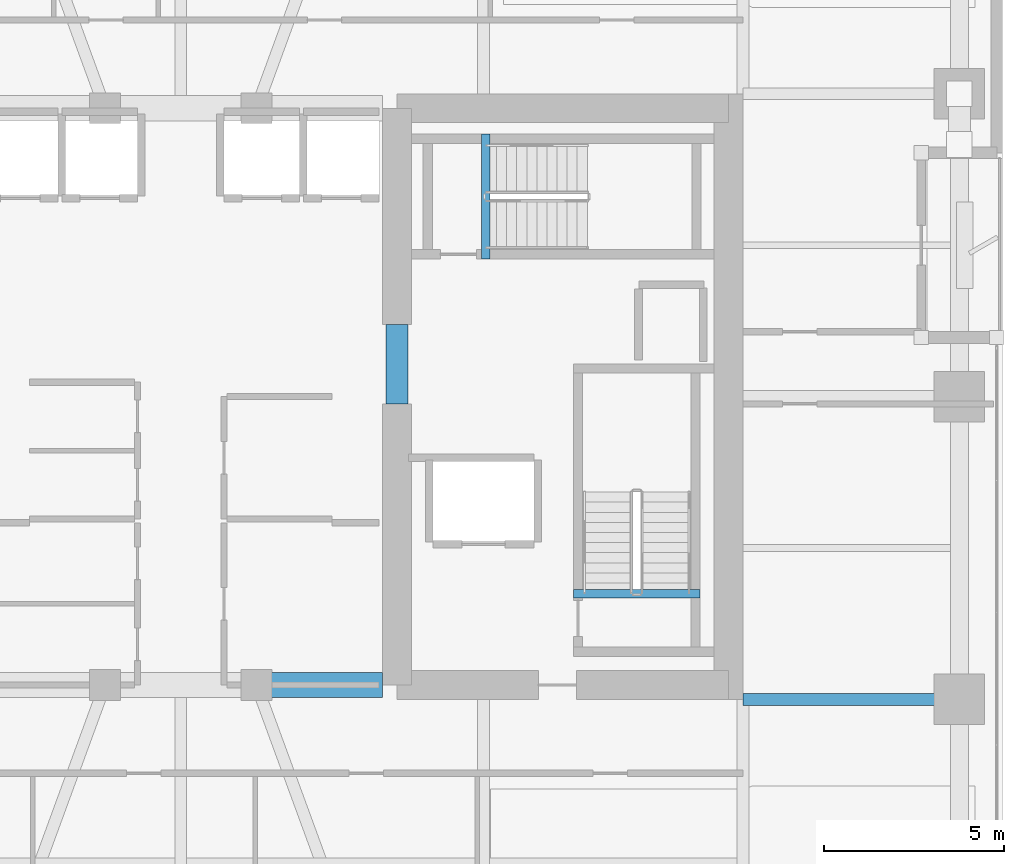
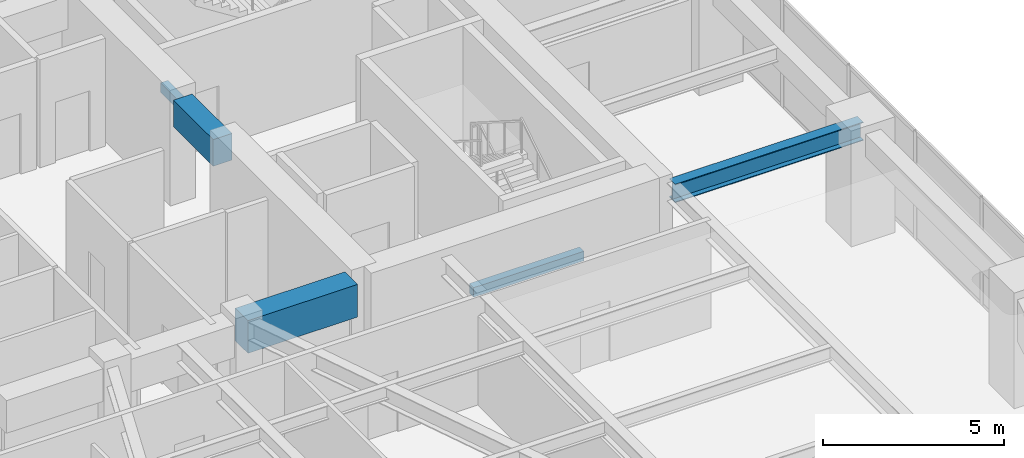
# One storey, part 5 of 24: 5 beams.
"""IFC4 building model written with IfcOpenShell, lengths in metres."""

from ifc_helpers import new_model, si_unit, direction, frame, origin, origin_2d, place, context, subcontext, project, spatial, rectangle, i_section, extrude, material, material_profile, profile_set, type_object, element, save


model = new_model("IFC4")

# Units and contexts
model_context = context("Model", 3, precision=1e-05, world=origin(), true_north=direction((0.0, 1.0)))
body_context = subcontext(model_context, "Body", "Model", "MODEL_VIEW")
ifc_project = project(units=[si_unit("LENGTHUNIT", "METRE"), si_unit("AREAUNIT", "SQUARE_METRE"), si_unit("VOLUMEUNIT", "CUBIC_METRE"), si_unit("PLANEANGLEUNIT", "RADIAN"), si_unit("MASSUNIT", "GRAM", prefix="KILO")], contexts=[model_context])

# Site, building, storey
site_placement = place(None, origin())
site = spatial("IfcSite", under=ifc_project, at=site_placement, CompositionType="ELEMENT")
building_placement = place(site_placement, origin())
building = spatial("IfcBuilding", under=site, at=building_placement, Name="Kiyonajd Concourse Tower", CompositionType="ELEMENT")
storey_placement = place(building_placement, frame((0.0, 0.0, 133.800048828125)))
storey = spatial("IfcBuildingStorey", under=building, at=storey_placement, Name="L34", CompositionType="ELEMENT", Elevation=133.800048828125)

# Beams
ifc_material_1 = material(Name="Concrete C70/85", Category="concrete")
ifc_material_profile_1 = material_profile(ifc_material_1, rectangle(XDim=0.699951171875, YDim=1.10009765625, at=origin_2d()), Name="RCBM-700x1100")
ifc_profile_set_1 = profile_set([ifc_material_profile_1], Name="Concrete C70/85")
beam_type_1 = type_object("IfcBeamType", Name="BM-COUP-1100", PredefinedType="LINTEL", material=ifc_profile_set_1)
beam_1_placement = place(storey_placement, frame((50.10009765625, 28.0, 3.08984375), z_axis=(1.0, 0.0, 0.0), x_axis=(0.0, 1.0, 0.0)))
element("IfcBeam", 1, at=beam_1_placement, inside=storey, type_object=beam_type_1, Name="L34 Core Coupling Beam S3", PredefinedType="LINTEL", context=body_context, shape_type="SweptSolid", body=[
    extrude(rectangle(XDim=0.699951171875, YDim=1.10009765625, at=origin_2d()), origin(), (0.0, 0.0, 1.0), 3.5),
])
ifc_material_2 = material(Name="Concrete C60/75", Category="concrete")
ifc_material_profile_2 = material_profile(ifc_material_2, rectangle(XDim=0.60009765625, YDim=0.89990234375, at=origin_2d()), Name="RCBM-600x900")
ifc_profile_set_2 = profile_set([ifc_material_profile_2], Name="Concrete C60/75")
beam_type_2 = type_object("IfcBeamType", Name="BM-COUP-900", PredefinedType="LINTEL", material=ifc_profile_set_2)
beam_2_placement = place(storey_placement, frame((54.0, 35.800048828125, 3.08984375), z_axis=(0.0, 1.0, 0.0), x_axis=(-1.0, 0.0, 0.0)))
element("IfcBeam", 2, at=beam_2_placement, inside=storey, type_object=beam_type_2, Name="L34 East Core Throat Coupling Lintel", PredefinedType="LINTEL", context=body_context, shape_type="SweptSolid", body=[
    extrude(rectangle(XDim=0.60009765625, YDim=0.89990234375, at=origin_2d()), origin(), (0.0, 0.0, 1.0), 2.199951171875),
])
ifc_material_3 = material(Name="Concrete C50/60", Category="concrete")
ifc_material_profile_3 = material_profile(ifc_material_3, rectangle(XDim=0.239990234375, YDim=0.320068359375, at=origin_2d()), Name="RCBM-240x320")
ifc_profile_set_3 = profile_set([ifc_material_profile_3], Name="Concrete C50/60")
beam_type_3 = type_object("IfcBeamType", Name="BM-LNT-250", PredefinedType="LINTEL", material=ifc_profile_set_3)
beam_3_placement = place(storey_placement, frame((58.889892578125, 30.530029296875, -0.16015625), z_axis=(1.0, 0.0, 0.0), x_axis=(0.0, 1.0, 0.0)))
element("IfcBeam", 3, at=beam_3_placement, inside=storey, type_object=beam_type_3, Name="L34 Stair ST2 Threshold Support Beam", PredefinedType="LINTEL", context=body_context, shape_type="SweptSolid", body=[
    extrude(rectangle(XDim=0.239990234375, YDim=0.320068359375, at=origin_2d()), origin(), (0.0, 0.0, 1.0), 3.52001953125),
])
beam_4_placement = place(storey_placement, frame((56.4599609375, 39.820068359375, -0.16015625), z_axis=(0.0, 1.0, 0.0), x_axis=(-1.0, 0.0, 0.0)))
element("IfcBeam", 4, at=beam_4_placement, inside=storey, type_object=beam_type_3, Name="L34 Stair ST3 Threshold Support Beam", PredefinedType="LINTEL", context=body_context, shape_type="SweptSolid", body=[
    extrude(rectangle(XDim=0.239990234375, YDim=0.320068359375, at=origin_2d()), origin(), (0.0, 0.0, 1.0), 3.4599609375),
])
ifc_material_4 = material(Name="Steel ASTM A992 Grade 50", Category="steel")
ifc_material_profile_4 = material_profile(ifc_material_4, i_section(OverallWidth=0.326904296875, OverallDepth=0.6220703125, WebThickness=0.015380859375, FlangeThickness=0.0244140625, at=origin_2d()), Name="W610X195")
ifc_profile_set_4 = profile_set([ifc_material_profile_4], Name="Steel ASTM A992 Grade 50")
beam_type_4 = type_object("IfcBeamType", Name="BM-TWR-610A", PredefinedType="BEAM", material=ifc_profile_set_4)
beam_5_placement = place(storey_placement, frame((63.60009765625, 27.60009765625, 3.328857421875), z_axis=(1.0, 0.0, 0.0), x_axis=(0.0, 1.0, 0.0)))
element("IfcBeam", 5, at=beam_5_placement, inside=storey, type_object=beam_type_4, Name="L34 East Lease Girder", PredefinedType="BEAM", context=body_context, shape_type="SweptSolid", body=[
    extrude(i_section(OverallWidth=0.326904296875, OverallDepth=0.6220703125, WebThickness=0.015380859375, FlangeThickness=0.0244140625, at=origin_2d()), origin(), (0.0, 0.0, 1.0), 6.0),
])

save(model, "model.ifc")
